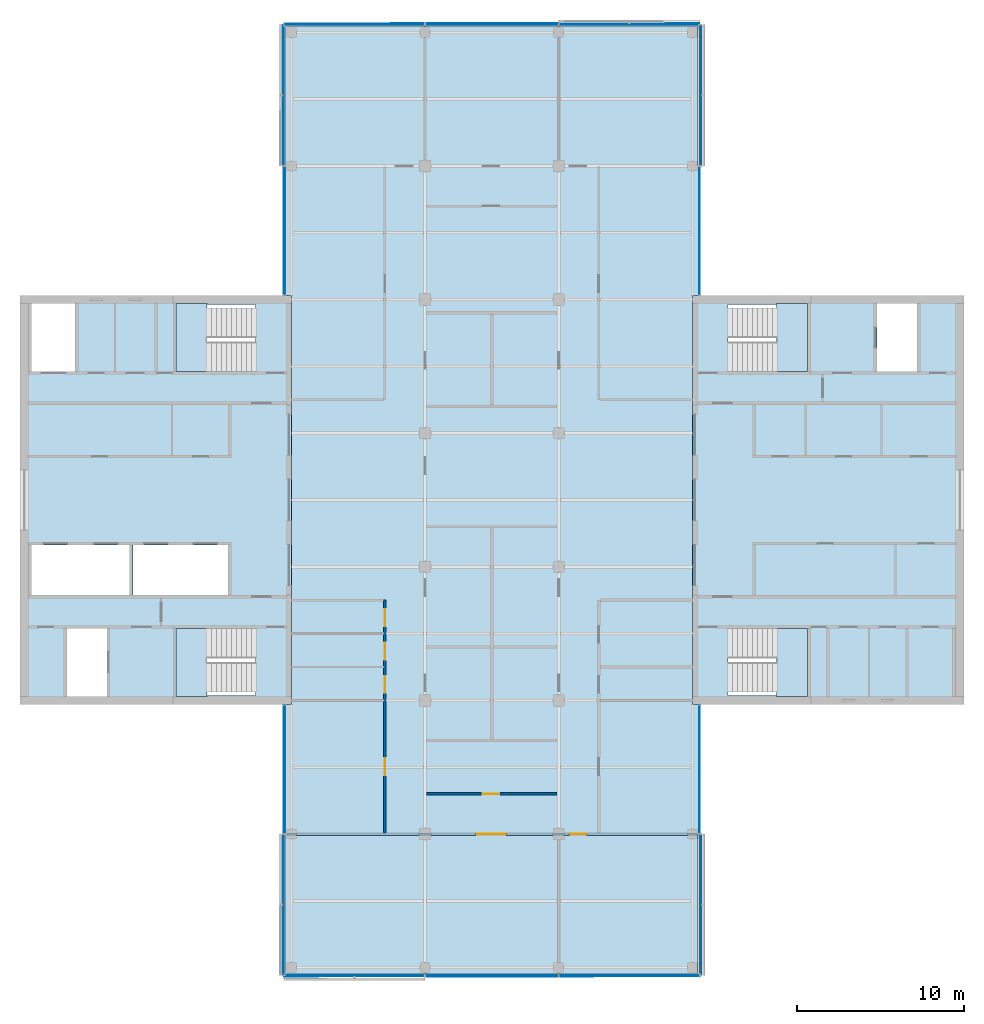
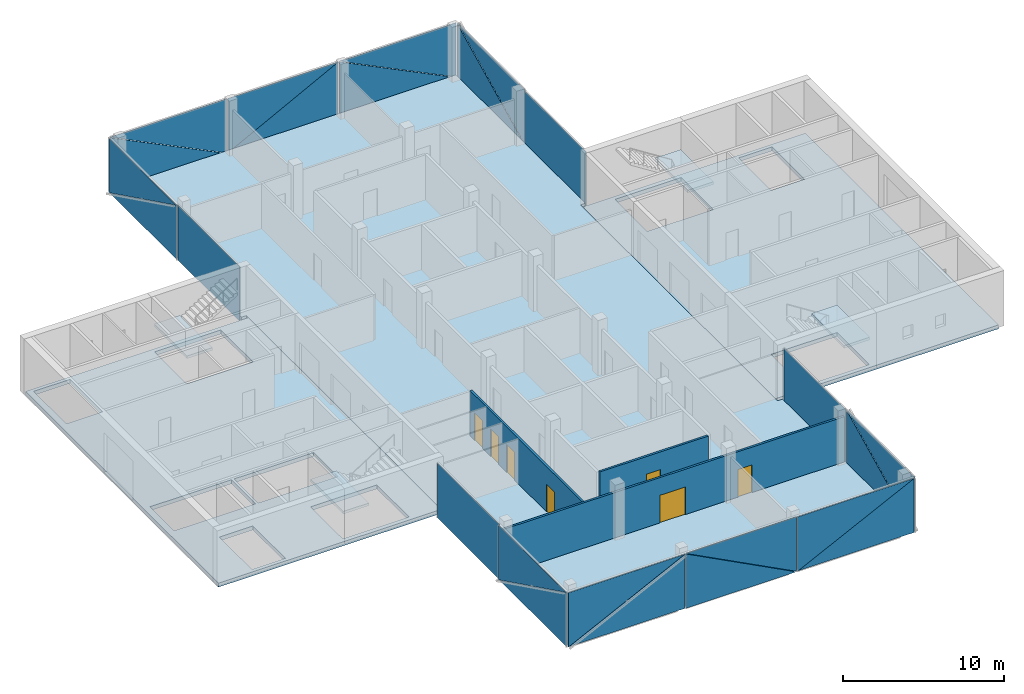
# One storey, part 8 of 16: 24 plates, 7 doors, 7 slabs, 3 walls, 7 openings, 14 elements without a shape of their own.
"""IFC4 building model written with IfcOpenShell, lengths in metres."""

from ifc_helpers import new_model, si_unit, direction, frame, frame_2d, origin, place, context, subcontext, project, spatial, polyline, rectangle, outline, extrude, material, layer, layer_set, type_object, element, fill, aggregate, save


model = new_model("IFC4")

# Units and contexts
model_context = context("Model", 3, precision=1e-05, world=origin(), true_north=direction((0.0, 1.0)))
body_context = subcontext(model_context, "Body", "Model", "MODEL_VIEW")
ifc_project = project(units=[si_unit("LENGTHUNIT", "METRE"), si_unit("AREAUNIT", "SQUARE_METRE"), si_unit("VOLUMEUNIT", "CUBIC_METRE"), si_unit("PLANEANGLEUNIT", "RADIAN"), si_unit("MASSUNIT", "GRAM", prefix="KILO")], contexts=[model_context])

# Site, building, storey
site_placement = place(None, origin())
site = spatial("IfcSite", under=ifc_project, at=site_placement, CompositionType="ELEMENT")
building_placement = place(site_placement, origin())
building = spatial("IfcBuilding", under=site, at=building_placement, Name="Crosswind Convention Tower", CompositionType="ELEMENT")
storey_placement = place(building_placement, frame((0.0, 0.0, 287.10009765625)))
storey = spatial("IfcBuildingStorey", under=building, at=storey_placement, Name="L62", CompositionType="ELEMENT", Elevation=287.10009765625)

# Slabs
ifc_material_1 = material(Name="Concrete C40/50", Category="concrete")
ifc_layer_1 = layer(ifc_material_1, 0.300048828125)
ifc_layer_set_1 = layer_set([ifc_layer_1], Name="Concrete C40/50")
slab_type_1 = type_object("IfcSlabType", Name="Composite floor slab 300", PredefinedType="FLOOR", material=ifc_layer_set_1)
slab_1_placement = place(storey_placement, frame((0.0, 0.0, -0.300048828125)))
element("IfcSlab", 1, at=slab_1_placement, inside=storey, type_object=slab_type_1, Name="Floor slab L62", PredefinedType="FLOOR", context=body_context, shape_type="SweptSolid", body=[
    extrude(outline(polyline([(137.35009765625, 71.64990234375), (137.0, 71.64990234375), (113.0, 71.64990234375), (112.64990234375, 71.64990234375), (112.64990234375, 72.0), (112.64990234375, 87.75), (113.0, 87.75), (113.0, 112.25), (112.64990234375, 112.25), (112.64990234375, 128.0), (112.64990234375, 128.35009765625), (113.0, 128.35009765625), (137.0, 128.35009765625), (137.35009765625, 128.35009765625), (137.35009765625, 128.0), (137.35009765625, 112.25), (137.0, 112.25), (137.0, 87.75), (137.35009765625, 87.75), (137.35009765625, 72.0), (137.35009765625, 71.64990234375)])), origin(), (0.0, 0.0, 1.0), 0.300048828125),
])
ifc_layer_2 = layer(ifc_material_1, 0.300048828125)
ifc_layer_set_2 = layer_set([ifc_layer_2], Name="Concrete C40/50")
slab_type_2 = type_object("IfcSlabType", Name="Concrete core floor slab 300", PredefinedType="FLOOR", material=ifc_layer_set_2)
slab_2_placement = place(storey_placement, frame((0.0, 0.0, -0.300048828125)))
element("IfcSlab", 2, at=slab_2_placement, inside=storey, type_object=slab_type_2, Name="Core floor slab E L62", PredefinedType="FLOOR", context=body_context, shape_type="SweptSolid", body=[
    extrude(outline(polyline([(137.0, 88.0), (153.0, 88.0), (153.0, 112.0), (137.0, 112.0), (137.0, 88.0)]), holes=[polyline([(150.449951171875, 107.699951171875), (150.449951171875, 111.75), (148.050048828125, 111.75), (148.050048828125, 107.699951171875), (150.449951171875, 107.699951171875)]), polyline([(143.89990234375, 107.699951171875), (143.89990234375, 111.699951171875), (139.14990234375, 111.699951171875), (139.14990234375, 107.699951171875), (143.89990234375, 107.699951171875)]), polyline([(143.89990234375, 88.300048828125), (143.89990234375, 92.300048828125), (139.14990234375, 92.300048828125), (139.14990234375, 88.300048828125), (143.89990234375, 88.300048828125)])]), origin(), (0.0, 0.0, 1.0), 0.300048828125),
])
slab_3_placement = place(storey_placement, frame((0.0, 0.0, -0.300048828125)))
element("IfcSlab", 3, at=slab_3_placement, inside=storey, type_object=slab_type_2, Name="Core floor slab W L62", PredefinedType="FLOOR", context=body_context, shape_type="SweptSolid", body=[
    extrude(outline(polyline([(97.0, 88.0), (113.0, 88.0), (113.0, 112.0), (97.0, 112.0), (97.0, 88.0)]), holes=[polyline([(109.199951171875, 94.300048828125), (109.199951171875, 97.300048828125), (103.5, 97.300048828125), (103.5, 94.300048828125), (109.199951171875, 94.300048828125)]), polyline([(103.300048828125, 94.300048828125), (103.300048828125, 97.300048828125), (97.449951171875, 97.300048828125), (97.449951171875, 94.300048828125), (103.300048828125, 94.300048828125)]), polyline([(101.949951171875, 88.25), (101.949951171875, 92.300048828125), (99.550048828125, 92.300048828125), (99.550048828125, 88.25), (101.949951171875, 88.25)]), polyline([(100.050048828125, 107.699951171875), (100.050048828125, 111.75), (97.449951171875, 111.75), (97.449951171875, 107.699951171875), (100.050048828125, 107.699951171875)]), polyline([(110.85009765625, 88.300048828125), (110.85009765625, 92.300048828125), (106.10009765625, 92.300048828125), (106.10009765625, 88.300048828125), (110.85009765625, 88.300048828125)]), polyline([(110.85009765625, 107.699951171875), (110.85009765625, 111.699951171875), (106.10009765625, 111.699951171875), (106.10009765625, 107.699951171875), (110.85009765625, 107.699951171875)])]), origin(), (0.0, 0.0, 1.0), 0.300048828125),
])

# Stair, slab
stair_type = type_object("IfcStairType", Name="Exit stair 1800 wide, 2 flights of 11 risers", PredefinedType="HALF_TURN_STAIR", material=ifc_material_1)
stair_1_placement = place(storey_placement, origin())
stair_1 = element("IfcStair", 4, at=stair_1_placement, inside=storey, type_object=stair_type, Name="Exit stair ST1 L62", ObjectType="ST5", PredefinedType="HALF_TURN_STAIR")
ifc_layer_3 = layer(ifc_material_1, 0.199951171875)
ifc_layer_set_3 = layer_set([ifc_layer_3], Name="Concrete C40/50")
slab_type_3 = type_object("IfcSlabType", Name="Stair landing 200", PredefinedType="LANDING", material=ifc_layer_set_3)
slab_4_placement = place(storey_placement, frame((0.0, 0.0, 1.89990234375)))
slab_4 = element("IfcSlab", 5, at=slab_4_placement, type_object=slab_type_3, Name="ST1 landing 1", PredefinedType="LANDING", context=body_context, shape_type="SweptSolid", body=[
    extrude(outline(polyline([(143.89990234375, 107.699951171875), (143.89990234375, 111.75), (142.050048828125, 111.75), (142.050048828125, 107.699951171875), (143.89990234375, 107.699951171875)])), origin(), (0.0, 0.0, 1.0), 0.199951171875),
])
aggregate(stair_1, [slab_4])

stair_2_placement = place(storey_placement, origin())
stair_2 = element("IfcStair", 6, at=stair_2_placement, inside=storey, type_object=stair_type, Name="Exit stair ST2 L62", ObjectType="ST5", PredefinedType="HALF_TURN_STAIR")
slab_5_placement = place(storey_placement, frame((0.0, 0.0, 1.89990234375)))
slab_5 = element("IfcSlab", 7, at=slab_5_placement, type_object=slab_type_3, Name="ST2 landing 1", PredefinedType="LANDING", context=body_context, shape_type="SweptSolid", body=[
    extrude(outline(polyline([(143.89990234375, 88.25), (143.89990234375, 92.300048828125), (142.050048828125, 92.300048828125), (142.050048828125, 88.25), (143.89990234375, 88.25)])), origin(), (0.0, 0.0, 1.0), 0.199951171875),
])
aggregate(stair_2, [slab_5])

stair_3_placement = place(storey_placement, origin())
stair_3 = element("IfcStair", 8, at=stair_3_placement, inside=storey, type_object=stair_type, Name="Exit stair ST3 L62", ObjectType="ST5", PredefinedType="HALF_TURN_STAIR")
slab_6_placement = place(storey_placement, frame((0.0, 0.0, 1.89990234375)))
slab_6 = element("IfcSlab", 9, at=slab_6_placement, type_object=slab_type_3, Name="ST3 landing 1", PredefinedType="LANDING", context=body_context, shape_type="SweptSolid", body=[
    extrude(outline(polyline([(107.949951171875, 88.25), (107.949951171875, 92.300048828125), (106.10009765625, 92.300048828125), (106.10009765625, 88.25), (107.949951171875, 88.25)])), origin(), (0.0, 0.0, 1.0), 0.199951171875),
])
aggregate(stair_3, [slab_6])

stair_4_placement = place(storey_placement, origin())
stair_4 = element("IfcStair", 10, at=stair_4_placement, inside=storey, type_object=stair_type, Name="Exit stair ST4 L62", ObjectType="ST5", PredefinedType="HALF_TURN_STAIR")
slab_7_placement = place(storey_placement, frame((0.0, 0.0, 1.89990234375)))
slab_7 = element("IfcSlab", 11, at=slab_7_placement, type_object=slab_type_3, Name="ST4 landing 1", PredefinedType="LANDING", context=body_context, shape_type="SweptSolid", body=[
    extrude(outline(polyline([(107.949951171875, 107.699951171875), (107.949951171875, 111.75), (106.10009765625, 111.75), (106.10009765625, 107.699951171875), (107.949951171875, 107.699951171875)])), origin(), (0.0, 0.0, 1.0), 0.199951171875),
])
aggregate(stair_4, [slab_7])

# Curtain wall, plate
ifc_material_2 = material(Name="Aluminium unitised curtain wall", Category="aluminium")
curtain_wall_type_1 = type_object("IfcCurtainWallType", Name="CORE END SLOT WALL 160", PredefinedType="USERDEFINED", material=ifc_material_2)
curtain_wall_1_placement = place(storey_placement, origin())
curtain_wall_1 = element("IfcCurtainWall", 12, at=curtain_wall_1_placement, inside=storey, type_object=curtain_wall_type_1, Name="CW6 L62 N-E.1-1 slot", ObjectType="UNITISED", PredefinedType="USERDEFINED")
ifc_material_3 = material(Name="Laminated insulating glass unit", Category="glass")
ifc_layer_4 = layer(ifc_material_3, 0.02587890625)
ifc_layer_set_4 = layer_set([ifc_layer_4], Name="TRIANGULAR GLASS PANEL 26")
plate_type_1 = type_object("IfcPlateType", Name="TRIANGULAR GLASS PANEL 26", PredefinedType="CURTAIN_PANEL", material=ifc_layer_set_4)
plate_1_placement = place(storey_placement, frame((137.456787109375, 112.300048828125, -0.300048828125), z_axis=(0.999999915205, 0.0, 0.00041181312), x_axis=(0.0, 1.0, 0.0)))
plate_1 = element("IfcPlate", 13, at=plate_1_placement, type_object=plate_type_1, Name="CW6 panel 1.1", PredefinedType="CURTAIN_PANEL", context=body_context, shape_type="SweptSolid", body=[
    extrude(outline(polyline([(0.0, 0.0), (7.64990234375, 0.0), (7.64990234375, 4.149902695641108), (0.0, 4.149902695641108), (0.0, 0.0)])), origin(), (0.0, 0.0, -1.0), 0.02587890625),
])
aggregate(curtain_wall_1, [plate_1])

curtain_wall_2_placement = place(storey_placement, origin())
curtain_wall_2 = element("IfcCurtainWall", 14, at=curtain_wall_2_placement, inside=storey, type_object=curtain_wall_type_1, Name="CW6 L62 N-W.1-2 slot", ObjectType="UNITISED", PredefinedType="USERDEFINED")
plate_2_placement = place(storey_placement, frame((112.543212890625, 119.949951171875, -0.300048828125), z_axis=(-0.999999915205, 0.0, 0.00041181312), x_axis=(0.0, -1.0, 0.0)))
plate_2 = element("IfcPlate", 15, at=plate_2_placement, type_object=plate_type_1, Name="CW6 panel 1.1", PredefinedType="CURTAIN_PANEL", context=body_context, shape_type="SweptSolid", body=[
    extrude(outline(polyline([(0.0, 0.0), (7.64990234375, 0.0), (7.64990234375, 4.149902695641108), (0.0, 4.149902695641108), (0.0, 0.0)])), origin(), (0.0, 0.0, -1.0), 0.02587890625),
])
aggregate(curtain_wall_2, [plate_2])

curtain_wall_3_placement = place(storey_placement, origin())
curtain_wall_3 = element("IfcCurtainWall", 16, at=curtain_wall_3_placement, inside=storey, type_object=curtain_wall_type_1, Name="CW6 L62 S-W.1-1 slot", ObjectType="UNITISED", PredefinedType="USERDEFINED")
plate_3_placement = place(storey_placement, frame((112.543212890625, 87.699951171875, -0.300048828125), z_axis=(-0.999999915205, 0.0, 0.00041181312), x_axis=(0.0, -1.0, 0.0)))
plate_3 = element("IfcPlate", 17, at=plate_3_placement, type_object=plate_type_1, Name="CW6 panel 1.1", PredefinedType="CURTAIN_PANEL", context=body_context, shape_type="SweptSolid", body=[
    extrude(outline(polyline([(0.0, 0.0), (7.64990234375, 0.0), (7.64990234375, 4.149902695641108), (0.0, 4.149902695641108), (0.0, 0.0)])), origin(), (0.0, 0.0, -1.0), 0.02587890625),
])
aggregate(curtain_wall_3, [plate_3])

curtain_wall_4_placement = place(storey_placement, origin())
curtain_wall_4 = element("IfcCurtainWall", 18, at=curtain_wall_4_placement, inside=storey, type_object=curtain_wall_type_1, Name="CW6 L62 S-E.1-2 slot", ObjectType="UNITISED", PredefinedType="USERDEFINED")
plate_4_placement = place(storey_placement, frame((137.456787109375, 80.050048828125, -0.300048828125), z_axis=(0.999999915205, 0.0, 0.00041181312), x_axis=(0.0, 1.0, 0.0)))
plate_4 = element("IfcPlate", 19, at=plate_4_placement, type_object=plate_type_1, Name="CW6 panel 1.1", PredefinedType="CURTAIN_PANEL", context=body_context, shape_type="SweptSolid", body=[
    extrude(outline(polyline([(0.0, 0.0), (7.64990234375, 0.0), (7.64990234375, 4.149902695641108), (0.0, 4.149902695641108), (0.0, 0.0)])), origin(), (0.0, 0.0, -1.0), 0.02587890625),
])
aggregate(curtain_wall_4, [plate_4])

# Curtain wall, plates
curtain_wall_type_2 = type_object("IfcCurtainWallType", Name="OFFICE UNITISED WALL 220", PredefinedType="USERDEFINED", material=ifc_material_2)
curtain_wall_5_placement = place(storey_placement, origin())
curtain_wall_5 = element("IfcCurtainWall", 20, at=curtain_wall_5_placement, inside=storey, type_object=curtain_wall_type_2, Name="CW3 L62 N-E 1", ObjectType="UNITISED", PredefinedType="USERDEFINED")
ifc_layer_5 = layer(ifc_material_3, 0.031982421875)
ifc_layer_set_5 = layer_set([ifc_layer_5], Name="TRIANGULAR GLASS PANEL 32")
plate_type_2 = type_object("IfcPlateType", Name="TRIANGULAR GLASS PANEL 32", PredefinedType="CURTAIN_PANEL", material=ifc_layer_set_5)
plate_5_placement = place(storey_placement, frame((137.492919921875, 128.425048828125, -0.300048828125), z_axis=(0.999999913924, 0.0, 0.000414913129), x_axis=(-0.000414913129, 0.0, 0.999999913924)))
plate_5 = element("IfcPlate", 21, at=plate_5_placement, type_object=plate_type_2, Name="CW3 panel 1.1", PredefinedType="CURTAIN_PANEL", context=body_context, shape_type="SweptSolid", body=[
    extrude(outline(polyline([(0.0, 0.0), (4.118896838915043, 0.0), (0.0, 8.367431640625), (0.0, 0.0)])), origin(), (0.0, 0.0, -1.0), 0.031982421875),
])
plate_6_placement = place(storey_placement, frame((137.525146484375, 120.034912109375, 3.829833984375), z_axis=(0.999999913924, 0.0, 0.000414913129), x_axis=(0.000414913129, 0.0, -0.999999913924)))
plate_6 = element("IfcPlate", 22, at=plate_6_placement, type_object=plate_type_2, Name="CW3 panel 1.2", PredefinedType="CURTAIN_PANEL", context=body_context, shape_type="SweptSolid", body=[
    extrude(outline(polyline([(0.0, 0.0), (4.118896838915043, 0.0), (0.0, 8.367431640625), (0.0, 0.0)])), origin(), (0.0, 0.0, -1.0), 0.031982421875),
])
aggregate(curtain_wall_5, [plate_5, plate_6])

curtain_wall_6_placement = place(storey_placement, origin())
curtain_wall_6 = element("IfcCurtainWall", 23, at=curtain_wall_6_placement, inside=storey, type_object=curtain_wall_type_2, Name="CW3 L62 N-TIP 1", ObjectType="UNITISED", PredefinedType="USERDEFINED")
plate_7_placement = place(storey_placement, frame((129.034912109375, 128.492919921875, -0.300048828125), z_axis=(0.0, 0.999999913924, 0.000414913129), x_axis=(0.0, -0.000414913129, 0.999999913924)))
plate_7 = element("IfcPlate", 24, at=plate_7_placement, type_object=plate_type_2, Name="CW3 panel 1.1", PredefinedType="CURTAIN_PANEL", context=body_context, shape_type="SweptSolid", body=[
    extrude(outline(polyline([(0.0, 0.0), (4.118896838915043, 0.0), (0.0, 8.367431640625), (0.0, 0.0)])), origin(), (0.0, 0.0, -1.0), 0.031982421875),
])
plate_8_placement = place(storey_placement, frame((137.425048828125, 128.525146484375, 3.829833984375), z_axis=(0.0, 0.999999913924, 0.000414913129), x_axis=(0.0, 0.000414913129, -0.999999913924)))
plate_8 = element("IfcPlate", 25, at=plate_8_placement, type_object=plate_type_2, Name="CW3 panel 1.2", PredefinedType="CURTAIN_PANEL", context=body_context, shape_type="SweptSolid", body=[
    extrude(outline(polyline([(0.0, 0.0), (4.118896838915043, 0.0), (0.0, 8.367431640625), (0.0, 0.0)])), origin(), (0.0, 0.0, -1.0), 0.031982421875),
])
plate_9_placement = place(storey_placement, frame((121.034912109375, 128.4912109375, 3.829833984375), z_axis=(0.0, 0.999999913913, 0.000414937724), x_axis=(1.0, 0.0, 0.0)))
plate_9 = element("IfcPlate", 26, at=plate_9_placement, type_object=plate_type_2, Name="CW3 panel 2.1", PredefinedType="CURTAIN_PANEL", context=body_context, shape_type="SweptSolid", body=[
    extrude(outline(polyline([(0.0, 0.0), (7.908447265625, 0.0), (0.0, 4.118652698311059), (0.0, 0.0)])), origin(), (0.0, 0.0, -1.0), 0.031982421875),
])
plate_10_placement = place(storey_placement, frame((128.965087890625, 128.52685546875, -0.300048828125), z_axis=(0.0, 0.999999913913, 0.000414937724), x_axis=(-1.0, 0.0, 0.0)))
plate_10 = element("IfcPlate", 27, at=plate_10_placement, type_object=plate_type_2, Name="CW3 panel 2.2", PredefinedType="CURTAIN_PANEL", context=body_context, shape_type="SweptSolid", body=[
    extrude(outline(polyline([(0.0, 0.0), (7.908447265625, 0.0), (0.0, 4.118652698311059), (0.0, 0.0)])), origin(), (0.0, 0.0, -1.0), 0.031982421875),
])
plate_11_placement = place(storey_placement, frame((112.574951171875, 128.492919921875, -0.300048828125), z_axis=(0.0, 0.999999913924, 0.000414913129), x_axis=(0.0, -0.000414913129, 0.999999913924)))
plate_11 = element("IfcPlate", 28, at=plate_11_placement, type_object=plate_type_2, Name="CW3 panel 3.1", PredefinedType="CURTAIN_PANEL", context=body_context, shape_type="SweptSolid", body=[
    extrude(outline(polyline([(0.0, 0.0), (4.118896838915043, 0.0), (0.0, 8.367431640625), (0.0, 0.0)])), origin(), (0.0, 0.0, -1.0), 0.031982421875),
])
plate_12_placement = place(storey_placement, frame((120.965087890625, 128.525146484375, 3.829833984375), z_axis=(0.0, 0.999999913924, 0.000414913129), x_axis=(0.0, 0.000414913129, -0.999999913924)))
plate_12 = element("IfcPlate", 29, at=plate_12_placement, type_object=plate_type_2, Name="CW3 panel 3.2", PredefinedType="CURTAIN_PANEL", context=body_context, shape_type="SweptSolid", body=[
    extrude(outline(polyline([(0.0, 0.0), (4.118896838915043, 0.0), (0.0, 8.367431640625), (0.0, 0.0)])), origin(), (0.0, 0.0, -1.0), 0.031982421875),
])
aggregate(curtain_wall_6, [plate_7, plate_8, plate_9, plate_10, plate_11, plate_12])

curtain_wall_7_placement = place(storey_placement, origin())
curtain_wall_7 = element("IfcCurtainWall", 30, at=curtain_wall_7_placement, inside=storey, type_object=curtain_wall_type_2, Name="CW3 L62 N-W 1", ObjectType="UNITISED", PredefinedType="USERDEFINED")
plate_13_placement = place(storey_placement, frame((112.507080078125, 120.034912109375, -0.300048828125), z_axis=(-0.999999913924, 0.0, 0.000414913129), x_axis=(0.000414913129, 0.0, 0.999999913924)))
plate_13 = element("IfcPlate", 31, at=plate_13_placement, type_object=plate_type_2, Name="CW3 panel 1.1", PredefinedType="CURTAIN_PANEL", context=body_context, shape_type="SweptSolid", body=[
    extrude(outline(polyline([(0.0, 0.0), (4.118896838915043, 0.0), (0.0, 8.367431640625), (0.0, 0.0)])), origin(), (0.0, 0.0, -1.0), 0.031982421875),
])
plate_14_placement = place(storey_placement, frame((112.474853515625, 128.425048828125, 3.829833984375), z_axis=(-0.999999913924, 0.0, 0.000414913129), x_axis=(-0.000414913129, 0.0, -0.999999913924)))
plate_14 = element("IfcPlate", 32, at=plate_14_placement, type_object=plate_type_2, Name="CW3 panel 1.2", PredefinedType="CURTAIN_PANEL", context=body_context, shape_type="SweptSolid", body=[
    extrude(outline(polyline([(0.0, 0.0), (4.118896838915043, 0.0), (0.0, 8.367431640625), (0.0, 0.0)])), origin(), (0.0, 0.0, -1.0), 0.031982421875),
])
aggregate(curtain_wall_7, [plate_13, plate_14])

curtain_wall_8_placement = place(storey_placement, origin())
curtain_wall_8 = element("IfcCurtainWall", 33, at=curtain_wall_8_placement, inside=storey, type_object=curtain_wall_type_2, Name="CW3 L62 S-W 1", ObjectType="UNITISED", PredefinedType="USERDEFINED")
plate_15_placement = place(storey_placement, frame((112.507080078125, 71.574951171875, -0.300048828125), z_axis=(-0.999999913924, 0.0, 0.000414913129), x_axis=(0.000414913129, 0.0, 0.999999913924)))
plate_15 = element("IfcPlate", 34, at=plate_15_placement, type_object=plate_type_2, Name="CW3 panel 1.1", PredefinedType="CURTAIN_PANEL", context=body_context, shape_type="SweptSolid", body=[
    extrude(outline(polyline([(0.0, 0.0), (4.118896838915043, 0.0), (0.0, 8.367431640625), (0.0, 0.0)])), origin(), (0.0, 0.0, -1.0), 0.031982421875),
])
plate_16_placement = place(storey_placement, frame((112.474853515625, 79.965087890625, 3.829833984375), z_axis=(-0.999999913924, 0.0, 0.000414913129), x_axis=(-0.000414913129, 0.0, -0.999999913924)))
plate_16 = element("IfcPlate", 35, at=plate_16_placement, type_object=plate_type_2, Name="CW3 panel 1.2", PredefinedType="CURTAIN_PANEL", context=body_context, shape_type="SweptSolid", body=[
    extrude(outline(polyline([(0.0, 0.0), (4.118896838915043, 0.0), (0.0, 8.367431640625), (0.0, 0.0)])), origin(), (0.0, 0.0, -1.0), 0.031982421875),
])
aggregate(curtain_wall_8, [plate_15, plate_16])

curtain_wall_9_placement = place(storey_placement, origin())
curtain_wall_9 = element("IfcCurtainWall", 36, at=curtain_wall_9_placement, inside=storey, type_object=curtain_wall_type_2, Name="CW3 L62 S-TIP 1", ObjectType="UNITISED", PredefinedType="USERDEFINED")
plate_17_placement = place(storey_placement, frame((120.965087890625, 71.507080078125, -0.300048828125), z_axis=(0.0, -0.999999913924, 0.000414913129), x_axis=(0.0, 0.000414913129, 0.999999913924)))
plate_17 = element("IfcPlate", 37, at=plate_17_placement, type_object=plate_type_2, Name="CW3 panel 1.1", PredefinedType="CURTAIN_PANEL", context=body_context, shape_type="SweptSolid", body=[
    extrude(outline(polyline([(0.0, 0.0), (4.118896838915043, 0.0), (0.0, 8.367431640625), (0.0, 0.0)])), origin(), (0.0, 0.0, -1.0), 0.031982421875),
])
plate_18_placement = place(storey_placement, frame((112.574951171875, 71.474853515625, 3.829833984375), z_axis=(0.0, -0.999999913924, 0.000414913129), x_axis=(0.0, -0.000414913129, -0.999999913924)))
plate_18 = element("IfcPlate", 38, at=plate_18_placement, type_object=plate_type_2, Name="CW3 panel 1.2", PredefinedType="CURTAIN_PANEL", context=body_context, shape_type="SweptSolid", body=[
    extrude(outline(polyline([(0.0, 0.0), (4.118896838915043, 0.0), (0.0, 8.367431640625), (0.0, 0.0)])), origin(), (0.0, 0.0, -1.0), 0.031982421875),
])
plate_19_placement = place(storey_placement, frame((128.965087890625, 71.5087890625, 3.829833984375), z_axis=(0.0, -0.999999913913, 0.000414937724), x_axis=(-1.0, 0.0, 0.0)))
plate_19 = element("IfcPlate", 39, at=plate_19_placement, type_object=plate_type_2, Name="CW3 panel 2.1", PredefinedType="CURTAIN_PANEL", context=body_context, shape_type="SweptSolid", body=[
    extrude(outline(polyline([(0.0, 0.0), (7.908447265625, 0.0), (0.0, 4.118652698311059), (0.0, 0.0)])), origin(), (0.0, 0.0, -1.0), 0.031982421875),
])
plate_20_placement = place(storey_placement, frame((121.034912109375, 71.47314453125, -0.300048828125), z_axis=(0.0, -0.999999913913, 0.000414937724), x_axis=(1.0, 0.0, 0.0)))
plate_20 = element("IfcPlate", 40, at=plate_20_placement, type_object=plate_type_2, Name="CW3 panel 2.2", PredefinedType="CURTAIN_PANEL", context=body_context, shape_type="SweptSolid", body=[
    extrude(outline(polyline([(0.0, 0.0), (7.908447265625, 0.0), (0.0, 4.118652698311059), (0.0, 0.0)])), origin(), (0.0, 0.0, -1.0), 0.031982421875),
])
plate_21_placement = place(storey_placement, frame((137.425048828125, 71.507080078125, -0.300048828125), z_axis=(0.0, -0.999999913924, 0.000414913129), x_axis=(0.0, 0.000414913129, 0.999999913924)))
plate_21 = element("IfcPlate", 41, at=plate_21_placement, type_object=plate_type_2, Name="CW3 panel 3.1", PredefinedType="CURTAIN_PANEL", context=body_context, shape_type="SweptSolid", body=[
    extrude(outline(polyline([(0.0, 0.0), (4.118896838915043, 0.0), (0.0, 8.367431640625), (0.0, 0.0)])), origin(), (0.0, 0.0, -1.0), 0.031982421875),
])
plate_22_placement = place(storey_placement, frame((129.034912109375, 71.474853515625, 3.829833984375), z_axis=(0.0, -0.999999913924, 0.000414913129), x_axis=(0.0, -0.000414913129, -0.999999913924)))
plate_22 = element("IfcPlate", 42, at=plate_22_placement, type_object=plate_type_2, Name="CW3 panel 3.2", PredefinedType="CURTAIN_PANEL", context=body_context, shape_type="SweptSolid", body=[
    extrude(outline(polyline([(0.0, 0.0), (4.118896838915043, 0.0), (0.0, 8.367431640625), (0.0, 0.0)])), origin(), (0.0, 0.0, -1.0), 0.031982421875),
])
aggregate(curtain_wall_9, [plate_17, plate_18, plate_19, plate_20, plate_21, plate_22])

curtain_wall_10_placement = place(storey_placement, origin())
curtain_wall_10 = element("IfcCurtainWall", 43, at=curtain_wall_10_placement, inside=storey, type_object=curtain_wall_type_2, Name="CW3 L62 S-E 1", ObjectType="UNITISED", PredefinedType="USERDEFINED")
plate_23_placement = place(storey_placement, frame((137.492919921875, 79.965087890625, -0.300048828125), z_axis=(0.999999913924, 0.0, 0.000414913129), x_axis=(-0.000414913129, 0.0, 0.999999913924)))
plate_23 = element("IfcPlate", 44, at=plate_23_placement, type_object=plate_type_2, Name="CW3 panel 1.1", PredefinedType="CURTAIN_PANEL", context=body_context, shape_type="SweptSolid", body=[
    extrude(outline(polyline([(0.0, 0.0), (4.118896838915043, 0.0), (0.0, 8.367431640625), (0.0, 0.0)])), origin(), (0.0, 0.0, -1.0), 0.031982421875),
])
plate_24_placement = place(storey_placement, frame((137.525146484375, 71.574951171875, 3.829833984375), z_axis=(0.999999913924, 0.0, 0.000414913129), x_axis=(0.000414913129, 0.0, -0.999999913924)))
plate_24 = element("IfcPlate", 45, at=plate_24_placement, type_object=plate_type_2, Name="CW3 panel 1.2", PredefinedType="CURTAIN_PANEL", context=body_context, shape_type="SweptSolid", body=[
    extrude(outline(polyline([(0.0, 0.0), (4.118896838915043, 0.0), (0.0, 8.367431640625), (0.0, 0.0)])), origin(), (0.0, 0.0, -1.0), 0.031982421875),
])
aggregate(curtain_wall_10, [plate_23, plate_24])

# Wall, openings, doors
ifc_material_4 = material(Name="Fire-board partition with mineral wool", Category="gypsum")
ifc_layer_6 = layer(ifc_material_4, 0.14990234375)
ifc_layer_set_6 = layer_set([ifc_layer_6], Name="TENANCY WALL 150 TWO-HOUR BOARD")
wall_type = type_object("IfcWallType", Name="TENANCY WALL 150 TWO-HOUR BOARD", PredefinedType="PARTITIONING", material=ifc_layer_set_6)
wall_1_placement = place(storey_placement, frame((118.60009765625, 80.074951171875, 0.0), z_axis=(0.0, 0.0, 1.0), x_axis=(0.0, 1.0, 0.0)))
wall_1 = element("IfcWall", 46, at=wall_1_placement, inside=storey, type_object=wall_type, Name="Tenancy wall WT41", PredefinedType="PARTITIONING", context=body_context, shape_type="SweptSolid", body=[
    extrude(rectangle(XDim=13.925048828125, YDim=0.14990234375, at=frame_2d((6.96240234375, 0.0))), origin(), (0.0, 0.0, 1.0), 3.442626953125),
])
opening_1_placement = place(wall_1_placement, frame((12.375, 0.0, 0.0)))
opening_1 = element("IfcOpeningElement", 47, at=opening_1_placement, cuts=wall_1, Name="Opening L62-55", PredefinedType="OPENING", context=body_context, shape_type="SweptSolid", body=[
    extrude(rectangle(XDim=1.0, YDim=2.10009765625, at=frame_2d((0.5, 1.050048828125))), frame((0.0, 0.0849609375, 0.0), z_axis=(0.0, -1.0, 0.0), x_axis=(1.0, 0.0, 0.0)), (0.0, 0.0, 1.0), 0.169921875),
])
opening_2_placement = place(wall_1_placement, frame((10.375, 0.0, 0.0)))
opening_2 = element("IfcOpeningElement", 48, at=opening_2_placement, cuts=wall_1, Name="Opening L62-56", PredefinedType="OPENING", context=body_context, shape_type="SweptSolid", body=[
    extrude(rectangle(XDim=1.0, YDim=2.10009765625, at=frame_2d((0.5, 1.050048828125))), frame((0.0, 0.0849609375, 0.0), z_axis=(0.0, -1.0, 0.0), x_axis=(1.0, 0.0, 0.0)), (0.0, 0.0, 1.0), 0.169921875),
])
opening_3_placement = place(wall_1_placement, frame((8.375, 0.0, 0.0)))
opening_3 = element("IfcOpeningElement", 49, at=opening_3_placement, cuts=wall_1, Name="Opening L62-57", PredefinedType="OPENING", context=body_context, shape_type="SweptSolid", body=[
    extrude(rectangle(XDim=1.0, YDim=2.10009765625, at=frame_2d((0.5, 1.050048828125))), frame((0.0, 0.0849609375, 0.0), z_axis=(0.0, -1.0, 0.0), x_axis=(1.0, 0.0, 0.0)), (0.0, 0.0, 1.0), 0.169921875),
])
opening_4_placement = place(wall_1_placement, frame((3.449951171875, 0.0, 0.0)))
opening_4 = element("IfcOpeningElement", 50, at=opening_4_placement, cuts=wall_1, Name="Opening L62-58", PredefinedType="OPENING", context=body_context, shape_type="SweptSolid", body=[
    extrude(rectangle(XDim=1.0, YDim=2.10009765625, at=frame_2d((0.5, 1.050048828125))), frame((0.0, 0.0849609375, 0.0), z_axis=(0.0, -1.0, 0.0), x_axis=(1.0, 0.0, 0.0)), (0.0, 0.0, 1.0), 0.169921875),
])
ifc_material_5 = material(Name="Timber fire door", Category="wood")
door_type_1 = type_object("IfcDoorType", Name="TENANCY ENTRANCE DOOR 1000X2100 FD30S", OperationType="NOTDEFINED", PredefinedType="DOOR", material=ifc_material_5)
door_1_placement = place(opening_1_placement, origin())
door_1 = element("IfcDoor", 51, at=door_1_placement, inside=storey, type_object=door_type_1, Name="Door L62-55", ObjectType="D41", OperationType="SINGLE_SWING_LEFT", OverallHeight=2.10009765625, OverallWidth=1.0, PredefinedType="DOOR", context=body_context, shape_type="SweptSolid", body=[
    extrude(rectangle(XDim=1.0, YDim=2.10009765625, at=frame_2d((0.5, 1.050048828125))), frame((0.0, 0.02490234375, 0.0), z_axis=(0.0, -1.0, 0.0), x_axis=(1.0, 0.0, 0.0)), (0.0, 0.0, 1.0), 0.050048828125),
])
fill(opening_1, door_1)
door_2_placement = place(opening_2_placement, origin())
door_2 = element("IfcDoor", 52, at=door_2_placement, inside=storey, type_object=door_type_1, Name="Door L62-56", ObjectType="D41", OperationType="SINGLE_SWING_LEFT", OverallHeight=2.10009765625, OverallWidth=1.0, PredefinedType="DOOR", context=body_context, shape_type="SweptSolid", body=[
    extrude(rectangle(XDim=1.0, YDim=2.10009765625, at=frame_2d((0.5, 1.050048828125))), frame((0.0, 0.02490234375, 0.0), z_axis=(0.0, -1.0, 0.0), x_axis=(1.0, 0.0, 0.0)), (0.0, 0.0, 1.0), 0.050048828125),
])
fill(opening_2, door_2)
door_3_placement = place(opening_3_placement, origin())
door_3 = element("IfcDoor", 53, at=door_3_placement, inside=storey, type_object=door_type_1, Name="Door L62-57", ObjectType="D41", OperationType="SINGLE_SWING_LEFT", OverallHeight=2.10009765625, OverallWidth=1.0, PredefinedType="DOOR", context=body_context, shape_type="SweptSolid", body=[
    extrude(rectangle(XDim=1.0, YDim=2.10009765625, at=frame_2d((0.5, 1.050048828125))), frame((0.0, 0.02490234375, 0.0), z_axis=(0.0, -1.0, 0.0), x_axis=(1.0, 0.0, 0.0)), (0.0, 0.0, 1.0), 0.050048828125),
])
fill(opening_3, door_3)
door_4_placement = place(opening_4_placement, origin())
door_4 = element("IfcDoor", 54, at=door_4_placement, inside=storey, type_object=door_type_1, Name="Door L62-58", ObjectType="D41", OperationType="SINGLE_SWING_RIGHT", OverallHeight=2.10009765625, OverallWidth=1.0, PredefinedType="DOOR", context=body_context, shape_type="SweptSolid", body=[
    extrude(rectangle(XDim=1.0, YDim=2.10009765625, at=frame_2d((0.5, 1.050048828125))), frame((0.0, 0.02490234375, 0.0), z_axis=(0.0, -1.0, 0.0), x_axis=(1.0, 0.0, 0.0)), (0.0, 0.0, 1.0), 0.050048828125),
])
fill(opening_4, door_4)

wall_2_placement = place(storey_placement, frame((112.72998046875, 80.0, 0.0), z_axis=(0.0, 0.0, 1.0), x_axis=(1.0, 0.0, 0.0)))
wall_2 = element("IfcWall", 55, at=wall_2_placement, inside=storey, type_object=wall_type, Name="Tenancy wall WT41", PredefinedType="PARTITIONING", context=body_context, shape_type="SweptSolid", body=[
    extrude(rectangle(XDim=24.5400390625, YDim=0.14990234375, at=frame_2d((12.27001953125, 0.0))), origin(), (0.0, 0.0, 1.0), 3.442626953125),
])
opening_5_placement = place(wall_2_placement, frame((11.320068359375, 0.0, 0.0)))
opening_5 = element("IfcOpeningElement", 56, at=opening_5_placement, cuts=wall_2, Name="Opening L62-62", PredefinedType="OPENING", context=body_context, shape_type="SweptSolid", body=[
    extrude(rectangle(XDim=1.800048828125, YDim=2.10009765625, at=frame_2d((0.89990234375, 1.050048828125))), frame((0.0, 0.0849609375, 0.0), z_axis=(0.0, -1.0, 0.0), x_axis=(1.0, 0.0, 0.0)), (0.0, 0.0, 1.0), 0.169921875),
])
opening_6_placement = place(wall_2_placement, frame((16.919921875, 0.0, 0.0)))
opening_6 = element("IfcOpeningElement", 57, at=opening_6_placement, cuts=wall_2, Name="Opening L62-63", PredefinedType="OPENING", context=body_context, shape_type="SweptSolid", body=[
    extrude(rectangle(XDim=1.0, YDim=2.10009765625, at=frame_2d((0.5, 1.050048828125))), frame((0.0, 0.0849609375, 0.0), z_axis=(0.0, -1.0, 0.0), x_axis=(1.0, 0.0, 0.0)), (0.0, 0.0, 1.0), 0.169921875),
])
door_5_placement = place(opening_6_placement, frame((1.0, 0.0, 0.0), z_axis=(0.0, 0.0, 1.0), x_axis=(-1.0, 0.0, 0.0)))
door_5 = element("IfcDoor", 58, at=door_5_placement, inside=storey, type_object=door_type_1, Name="Door L62-63", ObjectType="D41", OperationType="SINGLE_SWING_RIGHT", OverallHeight=2.10009765625, OverallWidth=1.0, PredefinedType="DOOR", context=body_context, shape_type="SweptSolid", body=[
    extrude(rectangle(XDim=1.0, YDim=2.10009765625, at=frame_2d((0.5, 1.050048828125))), frame((0.0, 0.02490234375, 0.0), z_axis=(0.0, -1.0, 0.0), x_axis=(1.0, 0.0, 0.0)), (0.0, 0.0, 1.0), 0.050048828125),
])
fill(opening_6, door_5)
door_type_2 = type_object("IfcDoorType", Name="TENANCY ENTRANCE DOUBLE DOOR 1800X2100 FD30S", OperationType="DOUBLE_DOOR_SINGLE_SWING", PredefinedType="DOOR", material=ifc_material_5)
door_6_placement = place(opening_5_placement, frame((1.800048828125, 0.0, 0.0), z_axis=(0.0, 0.0, 1.0), x_axis=(-1.0, 0.0, 0.0)))
door_6 = element("IfcDoor", 59, at=door_6_placement, inside=storey, type_object=door_type_2, Name="Door L62-62", ObjectType="D42", OperationType="DOUBLE_DOOR_SINGLE_SWING", OverallHeight=2.10009765625, OverallWidth=1.800048828125, PredefinedType="DOOR", context=body_context, shape_type="SweptSolid", body=[
    extrude(rectangle(XDim=1.800048828125, YDim=2.10009765625, at=frame_2d((0.89990234375, 1.050048828125))), frame((0.0, 0.02490234375, 0.0), z_axis=(0.0, -1.0, 0.0), x_axis=(1.0, 0.0, 0.0)), (0.0, 0.0, 1.0), 0.050048828125),
])
fill(opening_5, door_6)

# Wall, opening, door
wall_3_placement = place(storey_placement, frame((121.10009765625, 82.39990234375, 0.0), z_axis=(0.0, 0.0, 1.0), x_axis=(1.0, 0.0, 0.0)))
wall_3 = element("IfcWall", 60, at=wall_3_placement, inside=storey, type_object=wall_type, Name="Tenancy wall WT41", PredefinedType="PARTITIONING", context=body_context, shape_type="SweptSolid", body=[
    extrude(rectangle(XDim=7.7998046875, YDim=0.14990234375, at=frame_2d((3.89990234375, 0.0))), origin(), (0.0, 0.0, 1.0), 3.442626953125),
])
opening_7_placement = place(wall_3_placement, frame((3.35009765625, 0.0, 0.0)))
opening_7 = element("IfcOpeningElement", 61, at=opening_7_placement, cuts=wall_3, Name="Opening L62-64", PredefinedType="OPENING", context=body_context, shape_type="SweptSolid", body=[
    extrude(rectangle(XDim=1.0, YDim=2.10009765625, at=frame_2d((0.5, 1.050048828125))), frame((0.0, 0.0849609375, 0.0), z_axis=(0.0, -1.0, 0.0), x_axis=(1.0, 0.0, 0.0)), (0.0, 0.0, 1.0), 0.169921875),
])
door_7_placement = place(opening_7_placement, origin())
door_7 = element("IfcDoor", 62, at=door_7_placement, inside=storey, type_object=door_type_1, Name="Door L62-64", ObjectType="D41", OperationType="SINGLE_SWING_LEFT", OverallHeight=2.10009765625, OverallWidth=1.0, PredefinedType="DOOR", context=body_context, shape_type="SweptSolid", body=[
    extrude(rectangle(XDim=1.0, YDim=2.10009765625, at=frame_2d((0.5, 1.050048828125))), frame((0.0, 0.02490234375, 0.0), z_axis=(0.0, -1.0, 0.0), x_axis=(1.0, 0.0, 0.0)), (0.0, 0.0, 1.0), 0.050048828125),
])
fill(opening_7, door_7)

save(model, "model.ifc")
